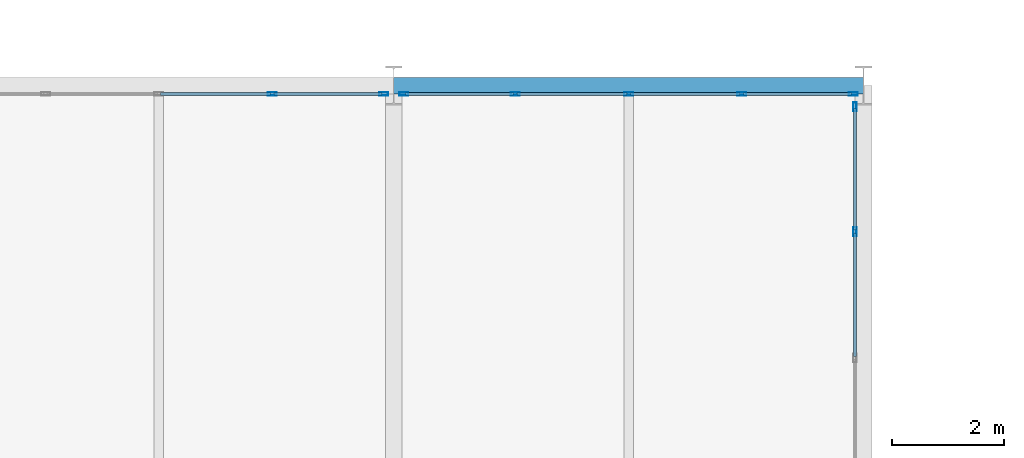
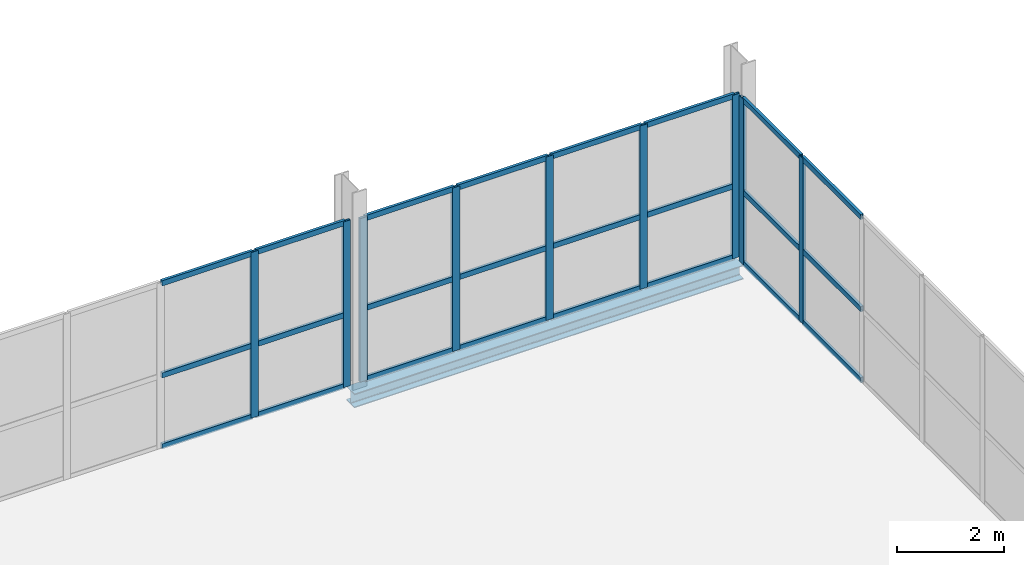
# One storey, part 59 of 113: 33 members, 1 beam, 3 elements without a shape of their own.
"""IFC4 building model written with IfcOpenShell, lengths in metres."""

from ifc_helpers import new_model, si_unit, direction, frame, origin, origin_2d, place, context, subcontext, project, spatial, hollow_rectangle, i_section, extrude, material, material_profile, profile_set, type_object, element, aggregate, save


model = new_model("IFC4")

# Units and contexts
model_context = context("Model", 3, precision=1e-05, world=origin(), true_north=direction((0.0, 1.0)))
body_context = subcontext(model_context, "Body", "Model", "MODEL_VIEW")
ifc_project = project(units=[si_unit("LENGTHUNIT", "METRE"), si_unit("AREAUNIT", "SQUARE_METRE"), si_unit("VOLUMEUNIT", "CUBIC_METRE"), si_unit("PLANEANGLEUNIT", "RADIAN"), si_unit("MASSUNIT", "GRAM", prefix="KILO")], contexts=[model_context])

# Site, building, storey
site_placement = place(None, origin())
site = spatial("IfcSite", under=ifc_project, at=site_placement, CompositionType="ELEMENT")
building_placement = place(site_placement, origin())
building = spatial("IfcBuilding", under=site, at=building_placement, Name="Veltarok Museum of Natural Sciences", CompositionType="ELEMENT")
storey_placement = place(building_placement, frame((0.0, 0.0, 8.39990234375)))
storey = spatial("IfcBuildingStorey", under=building, at=storey_placement, Name="L01", CompositionType="ELEMENT", Elevation=8.39990234375)

# Curtain wall, members
ifc_material_1 = material(Name="Low-iron triple insulated glass", Category="glass")
curtain_wall_type_1 = type_object("IfcCurtainWallType", Name="Curtain Wall System CW-V2E-L01-2-1130x378 (CW-V2E L01 1130x378cm)", PredefinedType="NOTDEFINED", material=ifc_material_1)
curtain_wall_1_placement = place(storey_placement, origin())
curtain_wall_1 = element("IfcCurtainWall", 1, at=curtain_wall_1_placement, inside=storey, type_object=curtain_wall_type_1, Name="Curtain Wall CW-V2E-L01-2-1130x378 CW-0130", PredefinedType="NOTDEFINED")
ifc_material_2 = material(Name="Thermally broken anodised aluminium", Category="aluminium")
ifc_material_profile_1 = material_profile(ifc_material_2, hollow_rectangle(XDim=0.06005859375, YDim=0.1201171875, WallThickness=0.0048828125, at=origin_2d()), Name="CW TRANSOM 60x120x5")
ifc_profile_set_1 = profile_set([ifc_material_profile_1], Name="Thermally broken anodised aluminium")
member_type_1 = type_object("IfcMemberType", Name="Curtain Wall Horizontal Transom 60x120x5", PredefinedType="USERDEFINED", material=ifc_profile_set_1)
member_1_placement = place(storey_placement, frame((98.64990234375, 67.159912109375, 0.028076171875), z_axis=(0.0, 1.0, 0.0), x_axis=(-1.0, 0.0, 0.0)))
member_1 = element("IfcMember", 2, at=member_1_placement, type_object=member_type_1, Name="CW-V2E-L01-2-1130x378 transom 4.1", ObjectType="TRANSOM", PredefinedType="USERDEFINED", context=body_context, shape_type="SweptSolid", body=[
    extrude(hollow_rectangle(XDim=0.06005859375, YDim=0.1201171875, WallThickness=0.0048828125, at=origin_2d()), origin(), (0.0, 0.0, 1.0), 2.2001953125),
])
member_2_placement = place(storey_placement, frame((98.64990234375, 67.159912109375, 1.648193359375), z_axis=(0.0, 1.0, 0.0), x_axis=(-1.0, 0.0, 0.0)))
member_2 = element("IfcMember", 3, at=member_2_placement, type_object=member_type_1, Name="CW-V2E-L01-2-1130x378 transom 4.2", ObjectType="TRANSOM", PredefinedType="USERDEFINED", context=body_context, shape_type="SweptSolid", body=[
    extrude(hollow_rectangle(XDim=0.06005859375, YDim=0.1201171875, WallThickness=0.0048828125, at=origin_2d()), origin(), (0.0, 0.0, 1.0), 2.2001953125),
])
member_3_placement = place(storey_placement, frame((98.64990234375, 67.159912109375, 3.75), z_axis=(0.0, 1.0, 0.0), x_axis=(-1.0, 0.0, 0.0)))
member_3 = element("IfcMember", 4, at=member_3_placement, type_object=member_type_1, Name="CW-V2E-L01-2-1130x378 transom 4.3", ObjectType="TRANSOM", PredefinedType="USERDEFINED", context=body_context, shape_type="SweptSolid", body=[
    extrude(hollow_rectangle(XDim=0.06005859375, YDim=0.1201171875, WallThickness=0.0048828125, at=origin_2d()), origin(), (0.0, 0.0, 1.0), 2.2001953125),
])
member_4_placement = place(storey_placement, frame((98.64990234375, 69.419921875, 0.028076171875), z_axis=(0.0, 1.0, 0.0), x_axis=(-1.0, 0.0, 0.0)))
member_4 = element("IfcMember", 5, at=member_4_placement, type_object=member_type_1, Name="CW-V2E-L01-2-1130x378 transom 5.1", ObjectType="TRANSOM", PredefinedType="USERDEFINED", context=body_context, shape_type="SweptSolid", body=[
    extrude(hollow_rectangle(XDim=0.06005859375, YDim=0.1201171875, WallThickness=0.0048828125, at=origin_2d()), origin(), (0.0, 0.0, 1.0), 2.170166015625),
])
member_5_placement = place(storey_placement, frame((98.64990234375, 69.419921875, 1.648193359375), z_axis=(0.0, 1.0, 0.0), x_axis=(-1.0, 0.0, 0.0)))
member_5 = element("IfcMember", 6, at=member_5_placement, type_object=member_type_1, Name="CW-V2E-L01-2-1130x378 transom 5.2", ObjectType="TRANSOM", PredefinedType="USERDEFINED", context=body_context, shape_type="SweptSolid", body=[
    extrude(hollow_rectangle(XDim=0.06005859375, YDim=0.1201171875, WallThickness=0.0048828125, at=origin_2d()), origin(), (0.0, 0.0, 1.0), 2.170166015625),
])
member_6_placement = place(storey_placement, frame((98.64990234375, 69.419921875, 3.75), z_axis=(0.0, 1.0, 0.0), x_axis=(-1.0, 0.0, 0.0)))
member_6 = element("IfcMember", 7, at=member_6_placement, type_object=member_type_1, Name="CW-V2E-L01-2-1130x378 transom 5.3", ObjectType="TRANSOM", PredefinedType="USERDEFINED", context=body_context, shape_type="SweptSolid", body=[
    extrude(hollow_rectangle(XDim=0.06005859375, YDim=0.1201171875, WallThickness=0.0048828125, at=origin_2d()), origin(), (0.0, 0.0, 1.0), 2.170166015625),
])

curtain_wall_type_2 = type_object("IfcCurtainWallType", Name="Curtain Wall System CW-V2NH-L01-2-810x378 (CW-V2NH L01 810x378cm)", PredefinedType="NOTDEFINED", material=ifc_material_1)
curtain_wall_2_placement = place(storey_placement, origin())
curtain_wall_2 = element("IfcCurtainWall", 8, at=curtain_wall_2_placement, inside=storey, type_object=curtain_wall_type_2, Name="Curtain Wall CW-V2NH-L01-2-810x378 CW-0154", PredefinedType="NOTDEFINED")
member_7_placement = place(storey_placement, frame((90.18994140625, 71.85009765625, 0.028076171875), z_axis=(-1.0, 0.0, 0.0), x_axis=(0.0, -1.0, 0.0)))
member_7 = element("IfcMember", 9, at=member_7_placement, type_object=member_type_1, Name="CW-V2NH-L01-2-810x378 transom 1.1", ObjectType="TRANSOM", PredefinedType="USERDEFINED", context=body_context, shape_type="SweptSolid", body=[
    extrude(hollow_rectangle(XDim=0.06005859375, YDim=0.1201171875, WallThickness=0.0048828125, at=origin_2d()), origin(), (0.0, 0.0, 1.0), 1.93505859375),
])
member_8_placement = place(storey_placement, frame((90.18994140625, 71.85009765625, 1.648193359375), z_axis=(-1.0, 0.0, 0.0), x_axis=(0.0, -1.0, 0.0)))
member_8 = element("IfcMember", 10, at=member_8_placement, type_object=member_type_1, Name="CW-V2NH-L01-2-810x378 transom 1.2", ObjectType="TRANSOM", PredefinedType="USERDEFINED", context=body_context, shape_type="SweptSolid", body=[
    extrude(hollow_rectangle(XDim=0.06005859375, YDim=0.1201171875, WallThickness=0.0048828125, at=origin_2d()), origin(), (0.0, 0.0, 1.0), 1.93505859375),
])
member_9_placement = place(storey_placement, frame((90.18994140625, 71.85009765625, 3.75), z_axis=(-1.0, 0.0, 0.0), x_axis=(0.0, -1.0, 0.0)))
member_9 = element("IfcMember", 11, at=member_9_placement, type_object=member_type_1, Name="CW-V2NH-L01-2-810x378 transom 1.3", ObjectType="TRANSOM", PredefinedType="USERDEFINED", context=body_context, shape_type="SweptSolid", body=[
    extrude(hollow_rectangle(XDim=0.06005859375, YDim=0.1201171875, WallThickness=0.0048828125, at=origin_2d()), origin(), (0.0, 0.0, 1.0), 1.93505859375),
])
member_10_placement = place(storey_placement, frame((88.195068359375, 71.85009765625, 0.028076171875), z_axis=(-1.0, 0.0, 0.0), x_axis=(0.0, -1.0, 0.0)))
member_10 = element("IfcMember", 12, at=member_10_placement, type_object=member_type_1, Name="CW-V2NH-L01-2-810x378 transom 2.1", ObjectType="TRANSOM", PredefinedType="USERDEFINED", context=body_context, shape_type="SweptSolid", body=[
    extrude(hollow_rectangle(XDim=0.06005859375, YDim=0.1201171875, WallThickness=0.0048828125, at=origin_2d()), origin(), (0.0, 0.0, 1.0), 1.965087890625),
])
member_11_placement = place(storey_placement, frame((88.195068359375, 71.85009765625, 1.648193359375), z_axis=(-1.0, 0.0, 0.0), x_axis=(0.0, -1.0, 0.0)))
member_11 = element("IfcMember", 13, at=member_11_placement, type_object=member_type_1, Name="CW-V2NH-L01-2-810x378 transom 2.2", ObjectType="TRANSOM", PredefinedType="USERDEFINED", context=body_context, shape_type="SweptSolid", body=[
    extrude(hollow_rectangle(XDim=0.06005859375, YDim=0.1201171875, WallThickness=0.0048828125, at=origin_2d()), origin(), (0.0, 0.0, 1.0), 1.965087890625),
])
member_12_placement = place(storey_placement, frame((88.195068359375, 71.85009765625, 3.75), z_axis=(-1.0, 0.0, 0.0), x_axis=(0.0, -1.0, 0.0)))
member_12 = element("IfcMember", 14, at=member_12_placement, type_object=member_type_1, Name="CW-V2NH-L01-2-810x378 transom 2.3", ObjectType="TRANSOM", PredefinedType="USERDEFINED", context=body_context, shape_type="SweptSolid", body=[
    extrude(hollow_rectangle(XDim=0.06005859375, YDim=0.1201171875, WallThickness=0.0048828125, at=origin_2d()), origin(), (0.0, 0.0, 1.0), 1.965087890625),
])

curtain_wall_type_3 = type_object("IfcCurtainWallType", Name="Curtain Wall System CW-V2NH-L01-3-810x373 (CW-V2NH L01 810x373cm)", PredefinedType="NOTDEFINED", material=ifc_material_1)
curtain_wall_3_placement = place(storey_placement, origin())
curtain_wall_3 = element("IfcCurtainWall", 15, at=curtain_wall_3_placement, inside=storey, type_object=curtain_wall_type_3, Name="Curtain Wall CW-V2NH-L01-3-810x373 CW-0155", PredefinedType="NOTDEFINED")
member_13_placement = place(storey_placement, frame((98.590087890625, 71.85009765625, 0.028076171875), z_axis=(-1.0, 0.0, 0.0), x_axis=(0.0, -1.0, 0.0)))
member_13 = element("IfcMember", 16, at=member_13_placement, type_object=member_type_1, Name="CW-V2NH-L01-3-810x373 transom 1.1", ObjectType="TRANSOM", PredefinedType="USERDEFINED", context=body_context, shape_type="SweptSolid", body=[
    extrude(hollow_rectangle(XDim=0.06005859375, YDim=0.1201171875, WallThickness=0.0048828125, at=origin_2d()), origin(), (0.0, 0.0, 1.0), 1.93505859375),
])
member_14_placement = place(storey_placement, frame((98.590087890625, 71.85009765625, 1.648193359375), z_axis=(-1.0, 0.0, 0.0), x_axis=(0.0, -1.0, 0.0)))
member_14 = element("IfcMember", 17, at=member_14_placement, type_object=member_type_1, Name="CW-V2NH-L01-3-810x373 transom 1.2", ObjectType="TRANSOM", PredefinedType="USERDEFINED", context=body_context, shape_type="SweptSolid", body=[
    extrude(hollow_rectangle(XDim=0.06005859375, YDim=0.1201171875, WallThickness=0.0048828125, at=origin_2d()), origin(), (0.0, 0.0, 1.0), 1.93505859375),
])
member_15_placement = place(storey_placement, frame((98.590087890625, 71.85009765625, 3.7001953125), z_axis=(-1.0, 0.0, 0.0), x_axis=(0.0, -1.0, 0.0)))
member_15 = element("IfcMember", 18, at=member_15_placement, type_object=member_type_1, Name="CW-V2NH-L01-3-810x373 transom 1.3", ObjectType="TRANSOM", PredefinedType="USERDEFINED", context=body_context, shape_type="SweptSolid", body=[
    extrude(hollow_rectangle(XDim=0.06005859375, YDim=0.1201171875, WallThickness=0.0048828125, at=origin_2d()), origin(), (0.0, 0.0, 1.0), 1.93505859375),
])
member_16_placement = place(storey_placement, frame((96.594970703125, 71.85009765625, 0.028076171875), z_axis=(-1.0, 0.0, 0.0), x_axis=(0.0, -1.0, 0.0)))
member_16 = element("IfcMember", 19, at=member_16_placement, type_object=member_type_1, Name="CW-V2NH-L01-3-810x373 transom 2.1", ObjectType="TRANSOM", PredefinedType="USERDEFINED", context=body_context, shape_type="SweptSolid", body=[
    extrude(hollow_rectangle(XDim=0.06005859375, YDim=0.1201171875, WallThickness=0.0048828125, at=origin_2d()), origin(), (0.0, 0.0, 1.0), 1.965087890625),
])
member_17_placement = place(storey_placement, frame((96.594970703125, 71.85009765625, 1.648193359375), z_axis=(-1.0, 0.0, 0.0), x_axis=(0.0, -1.0, 0.0)))
member_17 = element("IfcMember", 20, at=member_17_placement, type_object=member_type_1, Name="CW-V2NH-L01-3-810x373 transom 2.2", ObjectType="TRANSOM", PredefinedType="USERDEFINED", context=body_context, shape_type="SweptSolid", body=[
    extrude(hollow_rectangle(XDim=0.06005859375, YDim=0.1201171875, WallThickness=0.0048828125, at=origin_2d()), origin(), (0.0, 0.0, 1.0), 1.965087890625),
])
member_18_placement = place(storey_placement, frame((96.594970703125, 71.85009765625, 3.7001953125), z_axis=(-1.0, 0.0, 0.0), x_axis=(0.0, -1.0, 0.0)))
member_18 = element("IfcMember", 21, at=member_18_placement, type_object=member_type_1, Name="CW-V2NH-L01-3-810x373 transom 2.3", ObjectType="TRANSOM", PredefinedType="USERDEFINED", context=body_context, shape_type="SweptSolid", body=[
    extrude(hollow_rectangle(XDim=0.06005859375, YDim=0.1201171875, WallThickness=0.0048828125, at=origin_2d()), origin(), (0.0, 0.0, 1.0), 1.965087890625),
])
member_19_placement = place(storey_placement, frame((94.570068359375, 71.85009765625, 0.028076171875), z_axis=(-1.0, 0.0, 0.0), x_axis=(0.0, -1.0, 0.0)))
member_19 = element("IfcMember", 22, at=member_19_placement, type_object=member_type_1, Name="CW-V2NH-L01-3-810x373 transom 3.1", ObjectType="TRANSOM", PredefinedType="USERDEFINED", context=body_context, shape_type="SweptSolid", body=[
    extrude(hollow_rectangle(XDim=0.06005859375, YDim=0.1201171875, WallThickness=0.0048828125, at=origin_2d()), origin(), (0.0, 0.0, 1.0), 1.965087890625),
])
member_20_placement = place(storey_placement, frame((94.570068359375, 71.85009765625, 1.648193359375), z_axis=(-1.0, 0.0, 0.0), x_axis=(0.0, -1.0, 0.0)))
member_20 = element("IfcMember", 23, at=member_20_placement, type_object=member_type_1, Name="CW-V2NH-L01-3-810x373 transom 3.2", ObjectType="TRANSOM", PredefinedType="USERDEFINED", context=body_context, shape_type="SweptSolid", body=[
    extrude(hollow_rectangle(XDim=0.06005859375, YDim=0.1201171875, WallThickness=0.0048828125, at=origin_2d()), origin(), (0.0, 0.0, 1.0), 1.965087890625),
])
member_21_placement = place(storey_placement, frame((94.570068359375, 71.85009765625, 3.7001953125), z_axis=(-1.0, 0.0, 0.0), x_axis=(0.0, -1.0, 0.0)))
member_21 = element("IfcMember", 24, at=member_21_placement, type_object=member_type_1, Name="CW-V2NH-L01-3-810x373 transom 3.3", ObjectType="TRANSOM", PredefinedType="USERDEFINED", context=body_context, shape_type="SweptSolid", body=[
    extrude(hollow_rectangle(XDim=0.06005859375, YDim=0.1201171875, WallThickness=0.0048828125, at=origin_2d()), origin(), (0.0, 0.0, 1.0), 1.965087890625),
])
member_22_placement = place(storey_placement, frame((92.544921875, 71.85009765625, 0.028076171875), z_axis=(-1.0, 0.0, 0.0), x_axis=(0.0, -1.0, 0.0)))
member_22 = element("IfcMember", 25, at=member_22_placement, type_object=member_type_1, Name="CW-V2NH-L01-3-810x373 transom 4.1", ObjectType="TRANSOM", PredefinedType="USERDEFINED", context=body_context, shape_type="SweptSolid", body=[
    extrude(hollow_rectangle(XDim=0.06005859375, YDim=0.1201171875, WallThickness=0.0048828125, at=origin_2d()), origin(), (0.0, 0.0, 1.0), 1.934814453125),
])
member_23_placement = place(storey_placement, frame((92.544921875, 71.85009765625, 1.648193359375), z_axis=(-1.0, 0.0, 0.0), x_axis=(0.0, -1.0, 0.0)))
member_23 = element("IfcMember", 26, at=member_23_placement, type_object=member_type_1, Name="CW-V2NH-L01-3-810x373 transom 4.2", ObjectType="TRANSOM", PredefinedType="USERDEFINED", context=body_context, shape_type="SweptSolid", body=[
    extrude(hollow_rectangle(XDim=0.06005859375, YDim=0.1201171875, WallThickness=0.0048828125, at=origin_2d()), origin(), (0.0, 0.0, 1.0), 1.934814453125),
])
member_24_placement = place(storey_placement, frame((92.544921875, 71.85009765625, 3.7001953125), z_axis=(-1.0, 0.0, 0.0), x_axis=(0.0, -1.0, 0.0)))
member_24 = element("IfcMember", 27, at=member_24_placement, type_object=member_type_1, Name="CW-V2NH-L01-3-810x373 transom 4.3", ObjectType="TRANSOM", PredefinedType="USERDEFINED", context=body_context, shape_type="SweptSolid", body=[
    extrude(hollow_rectangle(XDim=0.06005859375, YDim=0.1201171875, WallThickness=0.0048828125, at=origin_2d()), origin(), (0.0, 0.0, 1.0), 1.934814453125),
])

# Member
ifc_material_profile_2 = material_profile(ifc_material_2, hollow_rectangle(XDim=0.06005859375, YDim=0.159912109375, WallThickness=0.0048828125, at=origin_2d()), Name="CW MULLION 60x160x5")
ifc_profile_set_2 = profile_set([ifc_material_profile_2], Name="Thermally broken anodised aluminium")
member_type_2 = type_object("IfcMemberType", Name="Curtain Wall Vertical Mullion 60x160x5", PredefinedType="MULLION", material=ifc_profile_set_2)
member_25_placement = place(storey_placement, frame((98.64990234375, 69.389892578125, -0.001953125), z_axis=(0.0, 0.0, 1.0), x_axis=(-1.0, 0.0, 0.0)))
member_25 = element("IfcMember", 28, at=member_25_placement, type_object=member_type_2, Name="CW-V2E-L01-2-1130x378 mullion 5", PredefinedType="MULLION", context=body_context, shape_type="SweptSolid", body=[
    extrude(hollow_rectangle(XDim=0.06005859375, YDim=0.159912109375, WallThickness=0.0048828125, at=origin_2d()), origin(), (0.0, 0.0, 1.0), 3.781982421875),
])

member_26_placement = place(storey_placement, frame((98.64990234375, 71.6201171875, -0.001953125), z_axis=(0.0, 0.0, 1.0), x_axis=(-1.0, 0.0, 0.0)))
member_26 = element("IfcMember", 29, at=member_26_placement, type_object=member_type_2, Name="CW-V2E-L01-2-1130x378 mullion 6", PredefinedType="MULLION", context=body_context, shape_type="SweptSolid", body=[
    extrude(hollow_rectangle(XDim=0.06005859375, YDim=0.159912109375, WallThickness=0.0048828125, at=origin_2d()), origin(), (0.0, 0.0, 1.0), 3.781982421875),
])

aggregate(curtain_wall_1, [member_25, member_26, member_1, member_2, member_3, member_4, member_5, member_6])

member_27_placement = place(storey_placement, frame((90.219970703125, 71.85009765625, -0.001953125), z_axis=(0.0, 0.0, 1.0), x_axis=(0.0, -1.0, 0.0)))
member_27 = element("IfcMember", 30, at=member_27_placement, type_object=member_type_2, Name="CW-V2NH-L01-2-810x378 mullion 1", PredefinedType="MULLION", context=body_context, shape_type="SweptSolid", body=[
    extrude(hollow_rectangle(XDim=0.06005859375, YDim=0.159912109375, WallThickness=0.0048828125, at=origin_2d()), origin(), (0.0, 0.0, 1.0), 3.781982421875),
])

member_28_placement = place(storey_placement, frame((88.22509765625, 71.85009765625, -0.001953125), z_axis=(0.0, 0.0, 1.0), x_axis=(0.0, -1.0, 0.0)))
member_28 = element("IfcMember", 31, at=member_28_placement, type_object=member_type_2, Name="CW-V2NH-L01-2-810x378 mullion 2", PredefinedType="MULLION", context=body_context, shape_type="SweptSolid", body=[
    extrude(hollow_rectangle(XDim=0.06005859375, YDim=0.159912109375, WallThickness=0.0048828125, at=origin_2d()), origin(), (0.0, 0.0, 1.0), 3.781982421875),
])

aggregate(curtain_wall_2, [member_27, member_28, member_7, member_8, member_9, member_10, member_11, member_12])

member_29_placement = place(storey_placement, frame((98.6201171875, 71.85009765625, -0.001953125), z_axis=(0.0, 0.0, 1.0), x_axis=(0.0, -1.0, 0.0)))
member_29 = element("IfcMember", 32, at=member_29_placement, type_object=member_type_2, Name="CW-V2NH-L01-3-810x373 mullion 1", PredefinedType="MULLION", context=body_context, shape_type="SweptSolid", body=[
    extrude(hollow_rectangle(XDim=0.06005859375, YDim=0.159912109375, WallThickness=0.0048828125, at=origin_2d()), origin(), (0.0, 0.0, 1.0), 3.73193359375),
])

member_30_placement = place(storey_placement, frame((96.625, 71.85009765625, -0.001953125), z_axis=(0.0, 0.0, 1.0), x_axis=(0.0, -1.0, 0.0)))
member_30 = element("IfcMember", 33, at=member_30_placement, type_object=member_type_2, Name="CW-V2NH-L01-3-810x373 mullion 2", PredefinedType="MULLION", context=body_context, shape_type="SweptSolid", body=[
    extrude(hollow_rectangle(XDim=0.06005859375, YDim=0.159912109375, WallThickness=0.0048828125, at=origin_2d()), origin(), (0.0, 0.0, 1.0), 3.73193359375),
])

member_31_placement = place(storey_placement, frame((94.60009765625, 71.85009765625, -0.001953125), z_axis=(0.0, 0.0, 1.0), x_axis=(0.0, -1.0, 0.0)))
member_31 = element("IfcMember", 34, at=member_31_placement, type_object=member_type_2, Name="CW-V2NH-L01-3-810x373 mullion 3", PredefinedType="MULLION", context=body_context, shape_type="SweptSolid", body=[
    extrude(hollow_rectangle(XDim=0.06005859375, YDim=0.159912109375, WallThickness=0.0048828125, at=origin_2d()), origin(), (0.0, 0.0, 1.0), 3.73193359375),
])

member_32_placement = place(storey_placement, frame((92.574951171875, 71.85009765625, -0.001953125), z_axis=(0.0, 0.0, 1.0), x_axis=(0.0, -1.0, 0.0)))
member_32 = element("IfcMember", 35, at=member_32_placement, type_object=member_type_2, Name="CW-V2NH-L01-3-810x373 mullion 4", PredefinedType="MULLION", context=body_context, shape_type="SweptSolid", body=[
    extrude(hollow_rectangle(XDim=0.06005859375, YDim=0.159912109375, WallThickness=0.0048828125, at=origin_2d()), origin(), (0.0, 0.0, 1.0), 3.73193359375),
])

member_33_placement = place(storey_placement, frame((90.580078125, 71.85009765625, -0.001953125), z_axis=(0.0, 0.0, 1.0), x_axis=(0.0, -1.0, 0.0)))
member_33 = element("IfcMember", 36, at=member_33_placement, type_object=member_type_2, Name="CW-V2NH-L01-3-810x373 mullion 5", PredefinedType="MULLION", context=body_context, shape_type="SweptSolid", body=[
    extrude(hollow_rectangle(XDim=0.06005859375, YDim=0.159912109375, WallThickness=0.0048828125, at=origin_2d()), origin(), (0.0, 0.0, 1.0), 3.73193359375),
])

aggregate(curtain_wall_3, [member_29, member_30, member_31, member_32, member_33, member_13, member_14, member_15, member_16, member_17, member_18, member_19, member_20, member_21, member_22, member_23, member_24])

# Beam
ifc_material_3 = material(Name="Steel S355J2", Category="steel")
ifc_material_profile_3 = material_profile(ifc_material_3, i_section(OverallWidth=0.300048828125, OverallDepth=0.320068359375, WebThickness=0.011474609375, FlangeThickness=0.0205078125, FilletRadius=0.027099609375, at=origin_2d()), Name="HEB 320")
ifc_profile_set_3 = profile_set([ifc_material_profile_3], Name="Steel S355J2")
beam_type = type_object("IfcBeamType", Name="Perimeter Sawtooth Spandrel HEB 320", PredefinedType="SPANDREL", material=ifc_profile_set_3)
beam_placement = place(storey_placement, frame((90.39990234375, 72.0, -0.409912109375), z_axis=(1.0, 0.0, 0.0), x_axis=(0.0, 1.0, 0.0)))
element("IfcBeam", 37, at=beam_placement, inside=storey, type_object=beam_type, Name="Beam BM-SP06 L01 11-12/H", PredefinedType="SPANDREL", context=body_context, shape_type="SweptSolid", body=[
    extrude(i_section(OverallWidth=0.300048828125, OverallDepth=0.320068359375, WebThickness=0.011474609375, FlangeThickness=0.0205078125, FilletRadius=0.027099609375, at=origin_2d()), origin(), (0.0, 0.0, 1.0), 8.400146484375),
])

save(model, "model.ifc")
